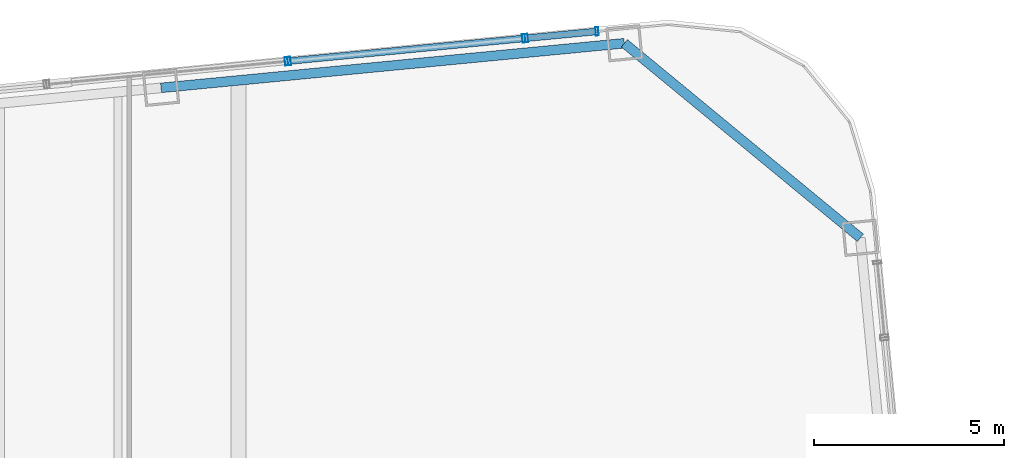
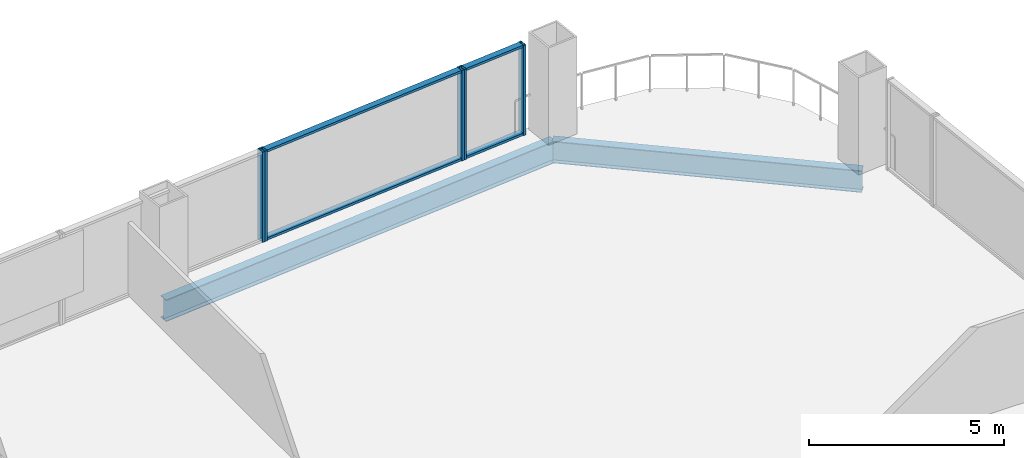
# One storey, part 21 of 28: 9 members, 2 beams, 3 elements without a shape of their own.
"""IFC4 building model written with IfcOpenShell, lengths in metres."""

from ifc_helpers import new_model, si_unit, direction, frame, origin, origin_2d, place, context, subcontext, project, spatial, hollow_rectangle, i_section, extrude, material, layer, layer_set, material_profile, profile_set, type_object, element, aggregate, save


model = new_model("IFC4")

# Units and contexts
model_context = context("Model", 3, precision=1e-05, world=origin(), true_north=direction((0.0, 1.0)))
body_context = subcontext(model_context, "Body", "Model", "MODEL_VIEW")
ifc_project = project(units=[si_unit("LENGTHUNIT", "METRE"), si_unit("AREAUNIT", "SQUARE_METRE"), si_unit("VOLUMEUNIT", "CUBIC_METRE"), si_unit("PLANEANGLEUNIT", "RADIAN"), si_unit("MASSUNIT", "GRAM", prefix="KILO")], contexts=[model_context])

# Site, building, storey
site_placement = place(None, origin())
site = spatial("IfcSite", under=ifc_project, at=site_placement, CompositionType="ELEMENT")
building_placement = place(site_placement, origin())
building = spatial("IfcBuilding", under=site, at=building_placement, Name="Qhalaya Broadcast Tower", CompositionType="ELEMENT")
storey_placement = place(building_placement, frame((0.0, 0.0, 90.800048828125)))
storey = spatial("IfcBuildingStorey", under=building, at=storey_placement, Name="L26", CompositionType="ELEMENT", Elevation=90.800048828125)

# Beams
ifc_material_1 = material(Name="Structural Steel ASTM A992 Grade 50", Category="steel")
ifc_material_profile_1 = material_profile(ifc_material_1, i_section(OverallWidth=0.25390625, OverallDepth=0.68310546875, WebThickness=0.012451171875, FlangeThickness=0.01904296875, at=origin_2d()), Name="W27X94")
ifc_profile_set_1 = profile_set([ifc_material_profile_1], Name="Structural Steel ASTM A992 Grade 50")
beam_type = type_object("IfcBeamType", Name="Perimeter Ring Spandrel Beam SP1", PredefinedType="SPANDREL", material=ifc_profile_set_1)
beam_1_placement = place(storey_placement, frame((25.765380859375, 24.165283203125, -0.5615234375), z_axis=(-0.771633771695, 0.636067073806, 0.0), x_axis=(-0.636067073806, -0.771633771695, 0.0)))
element("IfcBeam", 1, at=beam_1_placement, inside=storey, type_object=beam_type, Name="L26 SP1 L26-SPR-08", PredefinedType="SPANDREL", context=body_context, shape_type="SweptSolid", body=[
    extrude(i_section(OverallWidth=0.25390625, OverallDepth=0.68310546875, WebThickness=0.012451171875, FlangeThickness=0.01904296875, at=origin_2d()), origin(), (0.0, 0.0, 1.0), 8.060791015625),
])
beam_2_placement = place(storey_placement, frame((19.54541015625, 29.29248046875, -0.5615234375), z_axis=(-0.995397535354, -0.095831866369, 0.0), x_axis=(0.095831866369, -0.995397535354, 0.0)))
element("IfcBeam", 2, at=beam_2_placement, inside=storey, type_object=beam_type, Name="L26 SP1 L26-SPR-09", PredefinedType="SPANDREL", context=body_context, shape_type="SweptSolid", body=[
    extrude(i_section(OverallWidth=0.25390625, OverallDepth=0.68310546875, WebThickness=0.012451171875, FlangeThickness=0.01904296875, at=origin_2d()), origin(), (0.0, 0.0, 1.0), 12.2666015625),
])

# Curtain wall, members
ifc_material_2 = material(Name="Solar-Control Low-E Triple Glazing", Category="glass")
ifc_layer_1 = layer(ifc_material_2, 0.219970703125, Name="Solar-Control Low-E Triple Glazing")
ifc_layer_set_1 = layer_set([ifc_layer_1], Name="Solar-Control Low-E Triple Glazing")
curtain_wall_type_1 = type_object("IfcCurtainWallType", Name="Even-Block 4-Storey Double-Module Curtain Wall CW-03", PredefinedType="NOTDEFINED", material=ifc_layer_set_1)
curtain_wall_1_placement = place(storey_placement, origin())
curtain_wall_1 = element("IfcCurtainWall", 3, at=curtain_wall_1_placement, inside=storey, type_object=curtain_wall_type_1, Name="L26 Unitised Curtain Wall L26-CW-N1", PredefinedType="NOTDEFINED")
ifc_material_3 = material(Name="Anodised Aluminium 6063-T6", Category="aluminium")
ifc_material_profile_2 = material_profile(ifc_material_3, hollow_rectangle(XDim=0.074951171875, YDim=0.219970703125, WallThickness=0.00390625, at=origin_2d()), Name="ALU-MUL 75x220x4")
ifc_profile_set_2 = profile_set([ifc_material_profile_2], Name="Anodised Aluminium 6063-T6")
member_type_1 = type_object("IfcMemberType", Name="Unitised Curtain-Wall Mullion M01", PredefinedType="MULLION", material=ifc_profile_set_2)
member_1_placement = place(storey_placement, frame((18.82470703125, 29.60498046875, 0.0), z_axis=(0.0, 0.0, 1.0), x_axis=(-0.99539780127, -0.095829104278, 0.0)))
member_1 = element("IfcMember", 4, at=member_1_placement, type_object=member_type_1, Name="CW-03 mullion 1", PredefinedType="MULLION", context=body_context, shape_type="SweptSolid", body=[
    extrude(hollow_rectangle(XDim=0.074951171875, YDim=0.219970703125, WallThickness=0.00390625, at=origin_2d()), origin(), (0.0, 0.0, 1.0), 2.829833984375),
])
member_2_placement = place(storey_placement, frame((16.96533203125, 29.426025390625, 0.0), z_axis=(0.0, 0.0, 1.0), x_axis=(-0.99539780127, -0.095829104278, 0.0)))
member_2 = element("IfcMember", 5, at=member_2_placement, type_object=member_type_1, Name="CW-03 mullion 2", PredefinedType="MULLION", context=body_context, shape_type="SweptSolid", body=[
    extrude(hollow_rectangle(XDim=0.074951171875, YDim=0.219970703125, WallThickness=0.00390625, at=origin_2d()), origin(), (0.0, 0.0, 1.0), 2.829833984375),
])

ifc_material_4 = material(Name="Fired Architectural Terracotta", Category="masonry")
ifc_layer_2 = layer(ifc_material_4, 0.219970703125, Name="Fired Architectural Terracotta")
ifc_layer_set_2 = layer_set([ifc_layer_2], Name="Fired Architectural Terracotta")
curtain_wall_type_2 = type_object("IfcCurtainWallType", Name="Block-Cap Unitised Terracotta Spandrel Wall CW-07", PredefinedType="NOTDEFINED", material=ifc_layer_set_2)
curtain_wall_2_placement = place(storey_placement, origin())
curtain_wall_2 = element("IfcCurtainWall", 6, at=curtain_wall_2_placement, inside=storey, type_object=curtain_wall_type_2, Name="L26 Unitised Curtain Wall L26-CW-N2", PredefinedType="NOTDEFINED")
member_3_placement = place(storey_placement, frame((16.890625, 29.418701171875, 0.0), z_axis=(0.0, 0.0, 1.0), x_axis=(-0.995394666059, -0.095861664819, 0.0)))
member_3 = element("IfcMember", 7, at=member_3_placement, type_object=member_type_1, Name="CW-07 mullion 1", PredefinedType="MULLION", context=body_context, shape_type="SweptSolid", body=[
    extrude(hollow_rectangle(XDim=0.074951171875, YDim=0.219970703125, WallThickness=0.00390625, at=origin_2d()), origin(), (0.0, 0.0, 1.0), 2.829833984375),
])
member_4_placement = place(storey_placement, frame((10.713134765625, 28.823974609375, 0.0), z_axis=(0.0, 0.0, 1.0), x_axis=(-0.995394666059, -0.095861664819, 0.0)))
member_4 = element("IfcMember", 8, at=member_4_placement, type_object=member_type_1, Name="CW-07 mullion 2", PredefinedType="MULLION", context=body_context, shape_type="SweptSolid", body=[
    extrude(hollow_rectangle(XDim=0.074951171875, YDim=0.219970703125, WallThickness=0.00390625, at=origin_2d()), origin(), (0.0, 0.0, 1.0), 2.829833984375),
])

# Curtain wall, member
curtain_wall_3_placement = place(storey_placement, origin())
curtain_wall_3 = element("IfcCurtainWall", 9, at=curtain_wall_3_placement, inside=storey, type_object=curtain_wall_type_1, Name="L26 Unitised Curtain Wall L26-CW-N3", PredefinedType="NOTDEFINED")
member_5_placement = place(storey_placement, frame((10.638671875, 28.816650390625, 0.0), z_axis=(0.0, 0.0, 1.0), x_axis=(-0.99539731409, -0.095834164588, 0.0)))
member_5 = element("IfcMember", 10, at=member_5_placement, type_object=member_type_1, Name="CW-03 mullion 1", PredefinedType="MULLION", context=body_context, shape_type="SweptSolid", body=[
    extrude(hollow_rectangle(XDim=0.074951171875, YDim=0.219970703125, WallThickness=0.00390625, at=origin_2d()), origin(), (0.0, 0.0, 1.0), 2.829833984375),
])
aggregate(curtain_wall_3, [member_5])

# Member
ifc_material_profile_3 = material_profile(ifc_material_3, hollow_rectangle(XDim=0.074951171875, YDim=0.179931640625, WallThickness=0.00390625, at=origin_2d()), Name="ALU-TRN 75x180x4")
ifc_profile_set_3 = profile_set([ifc_material_profile_3], Name="Anodised Aluminium 6063-T6")
member_type_2 = type_object("IfcMemberType", Name="Unitised Curtain-Wall Transom T01", PredefinedType="USERDEFINED", material=ifc_profile_set_3)
member_6_placement = place(storey_placement, frame((18.787353515625, 29.601318359375, 0.037353515625), z_axis=(-0.995408779643, -0.09571500097, 0.0), x_axis=(0.0, 0.0, 1.0)))
member_6 = element("IfcMember", 11, at=member_6_placement, type_object=member_type_2, Name="CW-03 transom 1.1", ObjectType="TRANSOM", PredefinedType="USERDEFINED", context=body_context, shape_type="SweptSolid", body=[
    extrude(hollow_rectangle(XDim=0.074951171875, YDim=0.179931640625, WallThickness=0.00390625, at=origin_2d()), origin(), (0.0, 0.0, 1.0), 1.793212890625),
])

member_7_placement = place(storey_placement, frame((18.787353515625, 29.601318359375, 2.79248046875), z_axis=(-0.995408779643, -0.09571500097, 0.0), x_axis=(0.0, 0.0, 1.0)))
member_7 = element("IfcMember", 12, at=member_7_placement, type_object=member_type_2, Name="CW-03 transom 1.2", ObjectType="TRANSOM", PredefinedType="USERDEFINED", context=body_context, shape_type="SweptSolid", body=[
    extrude(hollow_rectangle(XDim=0.074951171875, YDim=0.179931640625, WallThickness=0.00390625, at=origin_2d()), origin(), (0.0, 0.0, 1.0), 1.793212890625),
])

aggregate(curtain_wall_1, [member_1, member_2, member_6, member_7])

member_8_placement = place(storey_placement, frame((16.853271484375, 29.415283203125, 0.037353515625), z_axis=(-0.995392160376, -0.095887679409, 0.0), x_axis=(0.0, 0.0, 1.0)))
member_8 = element("IfcMember", 13, at=member_8_placement, type_object=member_type_2, Name="CW-07 transom 1.1", ObjectType="TRANSOM", PredefinedType="USERDEFINED", context=body_context, shape_type="SweptSolid", body=[
    extrude(hollow_rectangle(XDim=0.074951171875, YDim=0.179931640625, WallThickness=0.00390625, at=origin_2d()), origin(), (0.0, 0.0, 1.0), 6.131103515625),
])

member_9_placement = place(storey_placement, frame((16.853271484375, 29.415283203125, 2.79248046875), z_axis=(-0.995392160376, -0.095887679409, 0.0), x_axis=(0.0, 0.0, 1.0)))
member_9 = element("IfcMember", 14, at=member_9_placement, type_object=member_type_2, Name="CW-07 transom 1.2", ObjectType="TRANSOM", PredefinedType="USERDEFINED", context=body_context, shape_type="SweptSolid", body=[
    extrude(hollow_rectangle(XDim=0.074951171875, YDim=0.179931640625, WallThickness=0.00390625, at=origin_2d()), origin(), (0.0, 0.0, 1.0), 6.131103515625),
])

aggregate(curtain_wall_2, [member_3, member_4, member_8, member_9])

save(model, "model.ifc")
